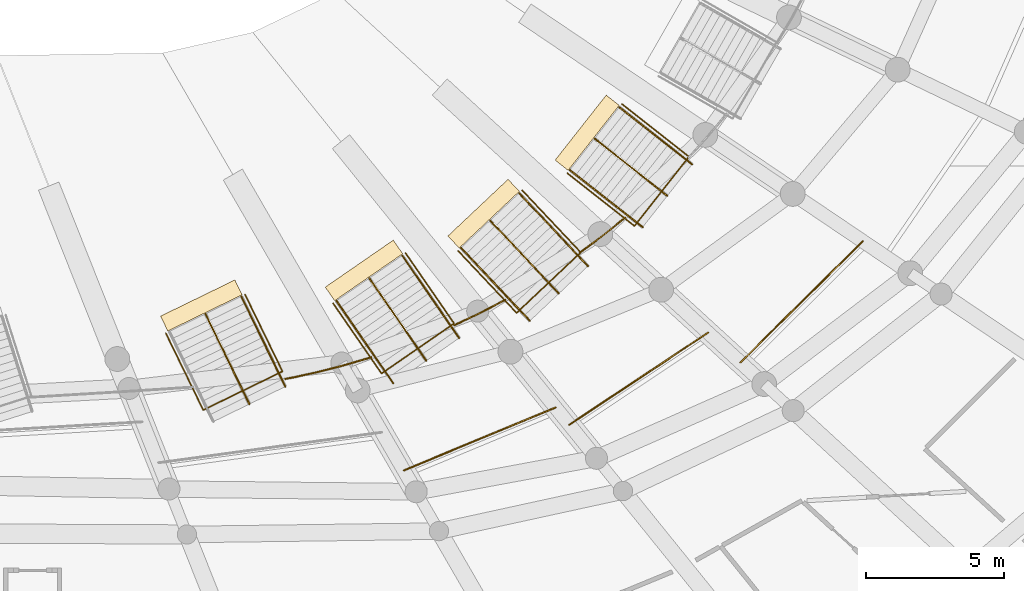
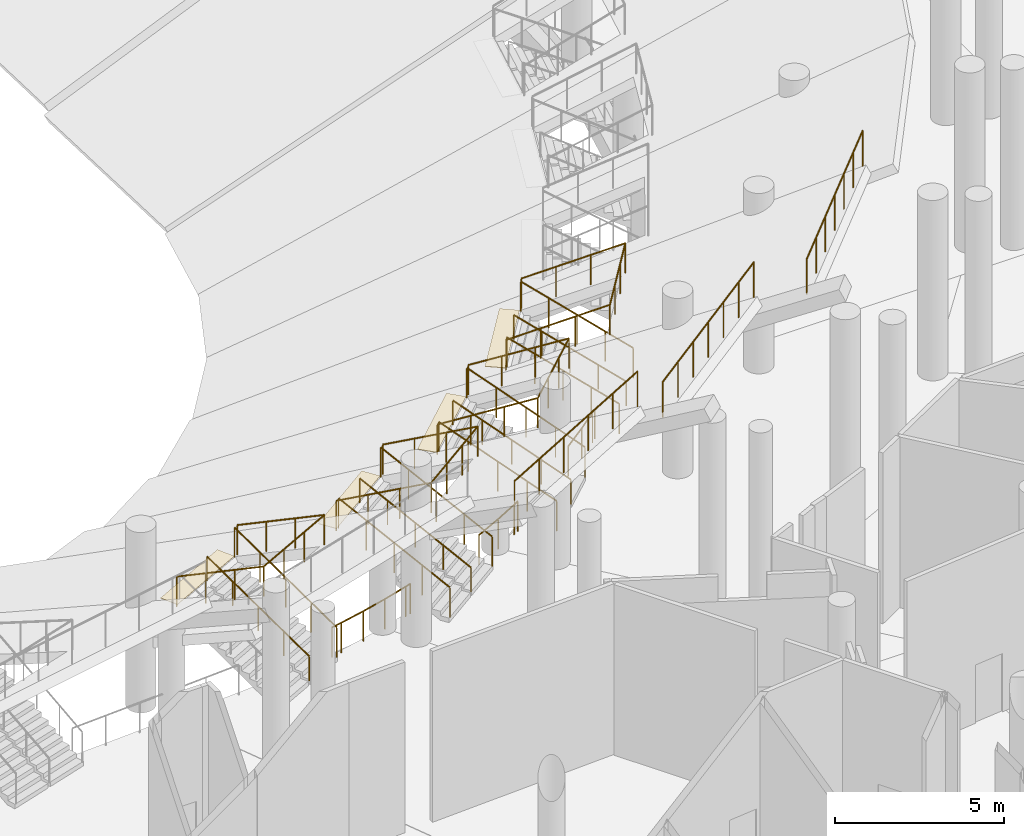
# One storey, part 208 of 255: 21 railings, 4 coverings.
"""IFC4 building model written with IfcOpenShell, lengths in metres."""

from ifc_helpers import new_model, si_unit, direction, frame, origin, origin_2d, place, context, subcontext, project, spatial, rectangle, circle, extrude, material, layer, layer_set, type_object, element, save


model = new_model("IFC4")

# Units and contexts
model_context = context("Model", 3, precision=1e-05, world=origin(), true_north=direction((0.0, 1.0)))
body_context = subcontext(model_context, "Body", "Model", "MODEL_VIEW")
ifc_project = project(units=[si_unit("LENGTHUNIT", "METRE"), si_unit("AREAUNIT", "SQUARE_METRE"), si_unit("VOLUMEUNIT", "CUBIC_METRE"), si_unit("PLANEANGLEUNIT", "RADIAN"), si_unit("MASSUNIT", "GRAM", prefix="KILO")], contexts=[model_context])

# Site, building, storey
site_placement = place(None, origin())
site = spatial("IfcSite", under=ifc_project, at=site_placement, CompositionType="ELEMENT")
building_placement = place(site_placement, origin())
building = spatial("IfcBuilding", under=site, at=building_placement, Name="Meseta Stadium", CompositionType="ELEMENT")
storey_placement = place(building_placement, origin())
storey = spatial("IfcBuildingStorey", under=building, at=storey_placement, Name="L00", CompositionType="ELEMENT", Elevation=0.0)

# Railings
ifc_material_1 = material(Name="Steel S355", Category="steel")
railing_type_1 = type_object("IfcRailingType", Name="Plate edge guard 1100", PredefinedType="GUARDRAIL", material=ifc_material_1)
railing_1_placement = place(storey_placement, frame((32.13232421875, -71.73681640625, 0.0)))
element("IfcRailing", 1, at=railing_1_placement, inside=storey, type_object=railing_type_1, Name="L00 inner edge guard 51", PredefinedType="GUARDRAIL", context=body_context, shape_type="SweptSolid", body=[
    extrude(circle(Radius=0.02490234375, at=origin_2d()), frame((0.0, 0.0, 1.0751953125), z_axis=(0.982708770154, 0.185157967859, 0.0), x_axis=(-0.185157967859, 0.982708770154, 0.0)), (0.0, 0.0, 1.0), 0.35595703125),
    extrude(circle(Radius=0.02490234375, at=origin_2d()), frame((0.349853515625, 0.06591796875, 1.0751953125), z_axis=(0.976225779897, 0.216756145621, 0.0), x_axis=(-0.216756145621, 0.976225779897, 0.0)), (0.0, 0.0, 1.0), 0.889892578125),
    extrude(circle(Radius=0.02490234375, at=origin_2d()), frame((1.218505859375, 0.2587890625, 1.0751953125), z_axis=(0.968604525516, 0.248606663526, 0.0), x_axis=(-0.248606663526, 0.968604525516, 0.0)), (0.0, 0.0, 1.0), 0.888671875),
    extrude(circle(Radius=0.02490234375, at=origin_2d()), frame((2.079345703125, 0.479736328125, 1.0751953125), z_axis=(0.960046214421, 0.279841501882, 0.0), x_axis=(-0.279841501882, 0.960046214421, 0.0)), (0.0, 0.0, 1.0), 0.88720703125),
    extrude(circle(Radius=0.02490234375, at=origin_2d()), frame((2.93115234375, 0.72802734375, 1.0751953125), z_axis=(0.950488430053, 0.31075994648, 0.0), x_axis=(-0.31075994648, 0.950488430053, 0.0)), (0.0, 0.0, 1.0), 0.201171875),
    extrude(circle(Radius=0.02001953125, at=origin_2d()), origin(), (0.0, 0.0, 1.0), 1.050048828125),
    extrude(circle(Radius=0.02001953125, at=origin_2d()), frame((0.349853515625, 0.06591796875, 0.0)), (0.0, 0.0, 1.0), 1.050048828125),
    extrude(circle(Radius=0.02001953125, at=origin_2d()), frame((1.218505859375, 0.2587890625, 0.0)), (0.0, 0.0, 1.0), 1.050048828125),
    extrude(circle(Radius=0.02001953125, at=origin_2d()), frame((2.079345703125, 0.479736328125, 0.0)), (0.0, 0.0, 1.0), 1.050048828125),
    extrude(circle(Radius=0.02001953125, at=origin_2d()), frame((2.93115234375, 0.72802734375, 0.0)), (0.0, 0.0, 1.0), 1.050048828125),
    extrude(circle(Radius=0.02001953125, at=origin_2d()), frame((3.122314453125, 0.79052734375, 0.0)), (0.0, 0.0, 1.0), 1.050048828125),
])
railing_2_placement = place(storey_placement, frame((38.2705078125, -69.7880859375, 0.0)))
element("IfcRailing", 2, at=railing_2_placement, inside=storey, type_object=railing_type_1, Name="L00 inner edge guard 52", PredefinedType="GUARDRAIL", context=body_context, shape_type="SweptSolid", body=[
    extrude(circle(Radius=0.02490234375, at=origin_2d()), frame((0.0, 0.0, 1.0751953125), z_axis=(0.90338039609, 0.428840133337, 0.0), x_axis=(-0.428840133337, 0.90338039609, 0.0)), (0.0, 0.0, 1.0), 0.98828125),
    extrude(circle(Radius=0.02490234375, at=origin_2d()), frame((0.892822265625, 0.423828125, 1.0751953125), z_axis=(0.887171475651, 0.461439890768, 0.0), x_axis=(-0.461439890768, 0.887171475651, 0.0)), (0.0, 0.0, 1.0), 0.882080078125),
    extrude(circle(Radius=0.02490234375, at=origin_2d()), frame((1.67529296875, 0.830810546875, 1.0751953125), z_axis=(0.872066441359, 0.489387496628, 0.0), x_axis=(-0.489387496628, 0.872066441359, 0.0)), (0.0, 0.0, 1.0), 0.198974609375),
    extrude(circle(Radius=0.02001953125, at=origin_2d()), origin(), (0.0, 0.0, 1.0), 1.050048828125),
    extrude(circle(Radius=0.02001953125, at=origin_2d()), frame((0.892822265625, 0.423828125, 0.0)), (0.0, 0.0, 1.0), 1.050048828125),
    extrude(circle(Radius=0.02001953125, at=origin_2d()), frame((1.67529296875, 0.830810546875, 0.0)), (0.0, 0.0, 1.0), 1.050048828125),
    extrude(circle(Radius=0.02001953125, at=origin_2d()), frame((1.848876953125, 0.92822265625, 0.0)), (0.0, 0.0, 1.0), 1.050048828125),
])
railing_3_placement = place(storey_placement, frame((42.8271484375, -67.154296875, 0.0)))
element("IfcRailing", 3, at=railing_3_placement, inside=storey, type_object=railing_type_1, Name="L00 inner edge guard 53", PredefinedType="GUARDRAIL", context=body_context, shape_type="SweptSolid", body=[
    extrude(circle(Radius=0.02490234375, at=origin_2d()), frame((0.0, 0.0, 1.0751953125), z_axis=(0.802947355475, 0.596049951208, 0.0), x_axis=(-0.596049951208, 0.802947355475, 0.0)), (0.0, 0.0, 1.0), 1.000732421875),
    extrude(circle(Radius=0.02490234375, at=origin_2d()), frame((0.803466796875, 0.596435546875, 1.0751953125), z_axis=(0.780706207846, 0.624898245341, 0.0), x_axis=(-0.624898245341, 0.780706207846, 0.0)), (0.0, 0.0, 1.0), 0.879150390625),
    extrude(circle(Radius=0.02490234375, at=origin_2d()), frame((1.48974609375, 1.145751953125, 1.0751953125), z_axis=(0.759865787374, 0.650079983678, 0.0), x_axis=(-0.650079983678, 0.759865787374, 0.0)), (0.0, 0.0, 1.0), 0.197998046875),
    extrude(circle(Radius=0.02001953125, at=origin_2d()), origin(), (0.0, 0.0, 1.0), 1.050048828125),
    extrude(circle(Radius=0.02001953125, at=origin_2d()), frame((0.803466796875, 0.596435546875, 0.0)), (0.0, 0.0, 1.0), 1.050048828125),
    extrude(circle(Radius=0.02001953125, at=origin_2d()), frame((1.48974609375, 1.145751953125, 0.0)), (0.0, 0.0, 1.0), 1.050048828125),
    extrude(circle(Radius=0.02001953125, at=origin_2d()), frame((1.64013671875, 1.2744140625, 0.0)), (0.0, 0.0, 1.0), 1.050048828125),
])
ifc_material_2 = material(Name="Steel S355", Category="steel")
railing_type_2 = type_object("IfcRailingType", Name="Stand rear guard 1300", PredefinedType="GUARDRAIL", material=ifc_material_2)
railing_4_placement = place(storey_placement, frame((36.437255859375, -75.056640625, 5.5791015625)))
element("IfcRailing", 4, at=railing_4_placement, inside=storey, type_object=railing_type_2, Name="Stand lower tier rear guard bay 51", PredefinedType="GUARDRAIL", context=body_context, shape_type="SweptSolid", body=[
    extrude(circle(Radius=0.02490234375, at=origin_2d()), frame((0.0, 0.0, 1.27490234375), z_axis=(0.918705190478, 0.380326600198, 0.106453981467), x_axis=(-0.382500107236, 0.923955446958, 0.0)), (0.0, 0.0, 1.0), 5.994873046875),
    extrude(circle(Radius=0.02001953125, at=origin_2d()), origin(), (0.0, 0.0, 1.0), 1.25),
    extrude(circle(Radius=0.02001953125, at=origin_2d()), frame((1.1015625, 0.4560546875, 0.127685546875)), (0.0, 0.0, 1.0), 1.25),
    extrude(circle(Radius=0.02001953125, at=origin_2d()), frame((2.203125, 0.912109375, 0.25537109375)), (0.0, 0.0, 1.0), 1.25),
    extrude(circle(Radius=0.02001953125, at=origin_2d()), frame((3.304443359375, 1.367919921875, 0.3828125)), (0.0, 0.0, 1.0), 1.25),
    extrude(circle(Radius=0.02001953125, at=origin_2d()), frame((4.406005859375, 1.823974609375, 0.510498046875)), (0.0, 0.0, 1.0), 1.25),
    extrude(circle(Radius=0.02001953125, at=origin_2d()), frame((5.507568359375, 2.280029296875, 0.63818359375)), (0.0, 0.0, 1.0), 1.25),
])
railing_5_placement = place(storey_placement, frame((42.447265625, -73.399169921875, 6.04638671875)))
element("IfcRailing", 5, at=railing_5_placement, inside=storey, type_object=railing_type_2, Name="Stand lower tier rear guard bay 52", PredefinedType="GUARDRAIL", context=body_context, shape_type="SweptSolid", body=[
    extrude(circle(Radius=0.02490234375, at=origin_2d()), frame((0.0, 0.0, 1.27490234375), z_axis=(0.829949257802, 0.551191978822, 0.085858208435), x_axis=(-0.553234872584, 0.833025315196, 0.0)), (0.0, 0.0, 1.0), 6.0625),
    extrude(circle(Radius=0.02001953125, at=origin_2d()), origin(), (0.0, 0.0, 1.0), 1.25),
    extrude(circle(Radius=0.02001953125, at=origin_2d()), frame((0.838623046875, 0.556884765625, 0.086669921875)), (0.0, 0.0, 1.0), 1.25),
    extrude(circle(Radius=0.02001953125, at=origin_2d()), frame((1.67724609375, 1.11376953125, 0.173583984375)), (0.0, 0.0, 1.0), 1.25),
    extrude(circle(Radius=0.02001953125, at=origin_2d()), frame((2.515625, 1.6708984375, 0.26025390625)), (0.0, 0.0, 1.0), 1.25),
    extrude(circle(Radius=0.02001953125, at=origin_2d()), frame((3.354248046875, 2.227783203125, 0.346923828125)), (0.0, 0.0, 1.0), 1.25),
    extrude(circle(Radius=0.02001953125, at=origin_2d()), frame((4.19287109375, 2.78466796875, 0.433837890625)), (0.0, 0.0, 1.0), 1.25),
    extrude(circle(Radius=0.02001953125, at=origin_2d()), frame((5.031494140625, 3.341552734375, 0.5205078125)), (0.0, 0.0, 1.0), 1.25),
])
railing_6_placement = place(storey_placement, frame((48.658935546875, -71.137939453125, 6.924072265625)))
element("IfcRailing", 6, at=railing_6_placement, inside=storey, type_object=railing_type_2, Name="Stand lower tier rear guard bay 53", PredefinedType="GUARDRAIL", context=body_context, shape_type="SweptSolid", body=[
    extrude(circle(Radius=0.02490234375, at=origin_2d()), frame((0.0, 0.0, 1.27490234375), z_axis=(0.709200353402, 0.702182813761, 0.063040897776), x_axis=(-0.703582278008, 0.710613803745, 0.0)), (0.0, 0.0, 1.0), 6.26220703125),
    extrude(circle(Radius=0.02001953125, at=origin_2d()), origin(), (0.0, 0.0, 1.0), 1.25),
    extrude(circle(Radius=0.02001953125, at=origin_2d()), frame((0.740234375, 0.73291015625, 0.06591796875)), (0.0, 0.0, 1.0), 1.25),
    extrude(circle(Radius=0.02001953125, at=origin_2d()), frame((1.48046875, 1.4658203125, 0.131591796875)), (0.0, 0.0, 1.0), 1.25),
    extrude(circle(Radius=0.02001953125, at=origin_2d()), frame((2.220703125, 2.19873046875, 0.197265625)), (0.0, 0.0, 1.0), 1.25),
    extrude(circle(Radius=0.02001953125, at=origin_2d()), frame((2.960693359375, 2.931396484375, 0.26318359375)), (0.0, 0.0, 1.0), 1.25),
    extrude(circle(Radius=0.02001953125, at=origin_2d()), frame((3.700927734375, 3.664306640625, 0.3291015625)), (0.0, 0.0, 1.0), 1.25),
    extrude(circle(Radius=0.02001953125, at=origin_2d()), frame((4.441162109375, 4.397216796875, 0.394775390625)), (0.0, 0.0, 1.0), 1.25),
])

# Coverings
ifc_material_3 = material(Name="Stone paving", Category="masonry")
ifc_layer = layer(ifc_material_3, 0.02001953125)
ifc_layer_set = layer_set([ifc_layer], Name="Vomitory exit threshold plate 20")
covering_type = type_object("IfcCoveringType", Name="Vomitory exit threshold plate 20", PredefinedType="FLOORING", material=ifc_layer_set)
for number, where, z_axis, x_axis, name in (
    (7, (29.08740234375, -69.0712890625, 2.32080078125), (0.0, 0.0, 1.0), (-0.437966379942, 0.898991351483, 0.0), "Vomitory V-lower-50 exit threshold"),
    (8, (34.9912109375, -67.7998046875, 2.26806640625), (0.0, 0.0, 1.0), (-0.567899772853, 0.82309771473, 0.0), "Vomitory V-lower-51 exit threshold"),
    (9, (39.334716796875, -65.739013671875, 2.26904296875), (0.0, 0.0, 1.0), (-0.686064733008, 0.72754050205, 0.0), "Vomitory V-lower-52 exit threshold"),
    (10, (43.09228515625, -62.8017578125, 2.21875), (0.0, 0.0, 1.0), (-0.786141751877, 0.618046232862, 0.0), "Vomitory V-lower-53 exit threshold"),
):
    element("IfcCovering", number, at=place(storey_placement, frame(where, z_axis=z_axis, x_axis=x_axis)), inside=storey, type_object=covering_type, Name=name, PredefinedType="FLOORING", context=body_context, shape_type="SweptSolid", body=[
        extrude(rectangle(XDim=0.60009765625, YDim=3.0, at=origin_2d()), origin(), (0.0, 0.0, 1.0), 0.02001953125),
    ])

# Railings
ifc_material_4 = material(Name="Steel S355", Category="steel")
railing_type_3 = type_object("IfcRailingType", Name="Vomitory slot guard 1100", PredefinedType="GUARDRAIL", material=ifc_material_4)
railing_7_placement = place(storey_placement, frame((30.67529296875, -68.67724609375, 2.3408203125)))
element("IfcRailing", 11, at=railing_7_placement, inside=storey, type_object=railing_type_3, Name="Vomitory V-lower-50 slot guard", PredefinedType="GUARDRAIL", context=body_context, shape_type="SweptSolid", body=[
    extrude(circle(Radius=0.02490234375, at=origin_2d()), frame((0.0, 0.0, 1.0751953125), z_axis=(0.390159093571, -0.800875032028, 0.454285224037), x_axis=(0.898994639312, 0.437959631118, 0.0)), (0.0, 0.0, 1.0), 3.479736328125),
    extrude(circle(Radius=0.02490234375, at=origin_2d()), frame((1.357666015625, -2.786865234375, 2.65576171875), z_axis=(-0.899017594614, -0.437912507899, 0.0), x_axis=(0.437912507899, -0.899017594614, 0.0)), (0.0, 0.0, 1.0), 3.2001953125),
    extrude(circle(Radius=0.02490234375, at=origin_2d()), frame((-1.519287109375, -4.188232421875, 2.65576171875), z_axis=(-0.390159093571, 0.800875032028, -0.454285224037), x_axis=(-0.898994639312, -0.437959631118, 0.0)), (0.0, 0.0, 1.0), 3.479736328125),
    extrude(circle(Radius=0.02001953125, at=origin_2d()), origin(), (0.0, 0.0, 1.0), 1.050048828125),
    extrude(circle(Radius=0.02001953125, at=origin_2d()), frame((0.45263671875, -0.928955078125, 0.52685546875)), (0.0, 0.0, 1.0), 1.050048828125),
    extrude(circle(Radius=0.02001953125, at=origin_2d()), frame((0.905029296875, -1.85791015625, 1.053955078125)), (0.0, 0.0, 1.0), 1.050048828125),
    extrude(circle(Radius=0.02001953125, at=origin_2d()), frame((1.357666015625, -2.786865234375, 1.580810546875)), (0.0, 0.0, 1.0), 1.050048828125),
    extrude(circle(Radius=0.02001953125, at=origin_2d()), frame((0.398681640625, -3.25390625, 1.580810546875)), (0.0, 0.0, 1.0), 1.050048828125),
    extrude(circle(Radius=0.02001953125, at=origin_2d()), frame((-0.560302734375, -3.72119140625, 1.580810546875)), (0.0, 0.0, 1.0), 1.050048828125),
    extrude(circle(Radius=0.02001953125, at=origin_2d()), frame((-1.519287109375, -4.188232421875, 1.580810546875)), (0.0, 0.0, 1.0), 1.050048828125),
    extrude(circle(Radius=0.02001953125, at=origin_2d()), frame((-1.971923828125, -3.25927734375, 1.053955078125)), (0.0, 0.0, 1.0), 1.050048828125),
    extrude(circle(Radius=0.02001953125, at=origin_2d()), frame((-2.42431640625, -2.330322265625, 0.52685546875)), (0.0, 0.0, 1.0), 1.050048828125),
    extrude(circle(Radius=0.02001953125, at=origin_2d()), frame((-2.876953125, -1.4013671875, 0.0)), (0.0, 0.0, 1.0), 1.050048828125),
])
railing_8_placement = place(storey_placement, frame((36.501708984375, -67.171875, 2.2880859375)))
element("IfcRailing", 12, at=railing_8_placement, inside=storey, type_object=railing_type_3, Name="Vomitory V-lower-51 slot guard", PredefinedType="GUARDRAIL", context=body_context, shape_type="SweptSolid", body=[
    extrude(circle(Radius=0.02490234375, at=origin_2d()), frame((0.0, 0.0, 1.0751953125), z_axis=(0.505913025585, -0.733226602466, 0.454346519718), x_axis=(0.823087110293, 0.567915142314, 0.0)), (0.0, 0.0, 1.0), 3.479736328125),
    extrude(circle(Radius=0.02490234375, at=origin_2d()), frame((1.760498046875, -2.551513671875, 2.65625), z_axis=(-0.823070129535, -0.56793975197, 0.0), x_axis=(0.56793975197, -0.823070129535, 0.0)), (0.0, 0.0, 1.0), 3.199951171875),
    extrude(circle(Radius=0.02490234375, at=origin_2d()), frame((-0.873291015625, -4.368896484375, 2.65625), z_axis=(-0.505913025585, 0.733226602466, -0.454346519718), x_axis=(-0.823087110293, -0.567915142314, 0.0)), (0.0, 0.0, 1.0), 3.479736328125),
    extrude(circle(Radius=0.02001953125, at=origin_2d()), origin(), (0.0, 0.0, 1.0), 1.050048828125),
    extrude(circle(Radius=0.02001953125, at=origin_2d()), frame((0.5869140625, -0.8505859375, 0.527099609375)), (0.0, 0.0, 1.0), 1.050048828125),
    extrude(circle(Radius=0.02001953125, at=origin_2d()), frame((1.173583984375, -1.700927734375, 1.053955078125)), (0.0, 0.0, 1.0), 1.050048828125),
    extrude(circle(Radius=0.02001953125, at=origin_2d()), frame((1.760498046875, -2.551513671875, 1.5810546875)), (0.0, 0.0, 1.0), 1.050048828125),
    extrude(circle(Radius=0.02001953125, at=origin_2d()), frame((0.882568359375, -3.1572265625, 1.5810546875)), (0.0, 0.0, 1.0), 1.050048828125),
    extrude(circle(Radius=0.02001953125, at=origin_2d()), frame((0.004638671875, -3.76318359375, 1.5810546875)), (0.0, 0.0, 1.0), 1.050048828125),
    extrude(circle(Radius=0.02001953125, at=origin_2d()), frame((-0.873291015625, -4.368896484375, 1.5810546875)), (0.0, 0.0, 1.0), 1.050048828125),
    extrude(circle(Radius=0.02001953125, at=origin_2d()), frame((-1.460205078125, -3.518310546875, 1.053955078125)), (0.0, 0.0, 1.0), 1.050048828125),
    extrude(circle(Radius=0.02001953125, at=origin_2d()), frame((-2.046875, -2.66796875, 0.527099609375)), (0.0, 0.0, 1.0), 1.050048828125),
    extrude(circle(Radius=0.02001953125, at=origin_2d()), frame((-2.6337890625, -1.8173828125, 0.0)), (0.0, 0.0, 1.0), 1.050048828125),
])
railing_9_placement = place(storey_placement, frame((40.732666015625, -64.8896484375, 2.2890625)))
element("IfcRailing", 13, at=railing_9_placement, inside=storey, type_object=railing_type_3, Name="Vomitory V-lower-52 slot guard", PredefinedType="GUARDRAIL", context=body_context, shape_type="SweptSolid", body=[
    extrude(circle(Radius=0.02490234375, at=origin_2d()), frame((0.0, 0.0, 1.0751953125), z_axis=(0.611194378276, -0.648096150885, 0.454326766955), x_axis=(0.727515277966, 0.686091481018, 0.0)), (0.0, 0.0, 1.0), 3.47998046875),
    extrude(circle(Radius=0.02490234375, at=origin_2d()), frame((2.126953125, -2.25537109375, 2.65625), z_axis=(-0.727554587562, -0.686049795654, 0.0), x_axis=(0.686049795654, -0.727554587562, 0.0)), (0.0, 0.0, 1.0), 3.199951171875),
    extrude(circle(Radius=0.02490234375, at=origin_2d()), frame((-0.201171875, -4.45068359375, 2.65625), z_axis=(-0.611194378276, 0.648096150885, -0.454326766955), x_axis=(-0.727515277966, -0.686091481018, 0.0)), (0.0, 0.0, 1.0), 3.47998046875),
    extrude(circle(Radius=0.02001953125, at=origin_2d()), origin(), (0.0, 0.0, 1.0), 1.050048828125),
    extrude(circle(Radius=0.02001953125, at=origin_2d()), frame((0.708984375, -0.751708984375, 0.527099609375)), (0.0, 0.0, 1.0), 1.050048828125),
    extrude(circle(Radius=0.02001953125, at=origin_2d()), frame((1.41796875, -1.503662109375, 1.053955078125)), (0.0, 0.0, 1.0), 1.050048828125),
    extrude(circle(Radius=0.02001953125, at=origin_2d()), frame((2.126953125, -2.25537109375, 1.5810546875)), (0.0, 0.0, 1.0), 1.050048828125),
    extrude(circle(Radius=0.02001953125, at=origin_2d()), frame((1.350830078125, -2.987060546875, 1.5810546875)), (0.0, 0.0, 1.0), 1.050048828125),
    extrude(circle(Radius=0.02001953125, at=origin_2d()), frame((0.574951171875, -3.718994140625, 1.5810546875)), (0.0, 0.0, 1.0), 1.050048828125),
    extrude(circle(Radius=0.02001953125, at=origin_2d()), frame((-0.201171875, -4.45068359375, 1.5810546875)), (0.0, 0.0, 1.0), 1.050048828125),
    extrude(circle(Radius=0.02001953125, at=origin_2d()), frame((-0.91015625, -3.698974609375, 1.053955078125)), (0.0, 0.0, 1.0), 1.050048828125),
    extrude(circle(Radius=0.02001953125, at=origin_2d()), frame((-1.619140625, -2.947021484375, 0.527099609375)), (0.0, 0.0, 1.0), 1.050048828125),
    extrude(circle(Radius=0.02001953125, at=origin_2d()), frame((-2.328125, -2.1953125, 0.0)), (0.0, 0.0, 1.0), 1.050048828125),
])
railing_10_placement = place(storey_placement, frame((44.349609375, -61.7548828125, 2.23876953125)))
element("IfcRailing", 14, at=railing_10_placement, inside=storey, type_object=railing_type_3, Name="Vomitory V-lower-53 slot guard", PredefinedType="GUARDRAIL", context=body_context, shape_type="SweptSolid", body=[
    extrude(circle(Radius=0.02490234375, at=origin_2d()), frame((0.0, 0.0, 1.0751953125), z_axis=(0.700355252069, -0.550559773891, 0.454297761686), x_axis=(0.618016316891, 0.786165270193, 0.0)), (0.0, 0.0, 1.0), 3.479736328125),
    extrude(circle(Radius=0.02490234375, at=origin_2d()), frame((2.43701171875, -1.915771484375, 2.65576171875), z_axis=(-0.618057385598, -0.78613298373, 0.0), x_axis=(0.78613298373, -0.618057385598, 0.0)), (0.0, 0.0, 1.0), 3.199951171875),
    extrude(circle(Radius=0.02490234375, at=origin_2d()), frame((0.459228515625, -4.431396484375, 2.65576171875), z_axis=(-0.700355252069, 0.550559773891, -0.454297761686), x_axis=(-0.618016316891, -0.786165270193, 0.0)), (0.0, 0.0, 1.0), 3.479736328125),
    extrude(circle(Radius=0.02001953125, at=origin_2d()), origin(), (0.0, 0.0, 1.0), 1.050048828125),
    extrude(circle(Radius=0.02001953125, at=origin_2d()), frame((0.812255859375, -0.638671875, 0.52685546875)), (0.0, 0.0, 1.0), 1.050048828125),
    extrude(circle(Radius=0.02001953125, at=origin_2d()), frame((1.624755859375, -1.277099609375, 1.053955078125)), (0.0, 0.0, 1.0), 1.050048828125),
    extrude(circle(Radius=0.02001953125, at=origin_2d()), frame((2.43701171875, -1.915771484375, 1.580810546875)), (0.0, 0.0, 1.0), 1.050048828125),
    extrude(circle(Radius=0.02001953125, at=origin_2d()), frame((1.77783203125, -2.75439453125, 1.580810546875)), (0.0, 0.0, 1.0), 1.050048828125),
    extrude(circle(Radius=0.02001953125, at=origin_2d()), frame((1.118408203125, -3.5927734375, 1.580810546875)), (0.0, 0.0, 1.0), 1.050048828125),
    extrude(circle(Radius=0.02001953125, at=origin_2d()), frame((0.459228515625, -4.431396484375, 1.580810546875)), (0.0, 0.0, 1.0), 1.050048828125),
    extrude(circle(Radius=0.02001953125, at=origin_2d()), frame((-0.35302734375, -3.792724609375, 1.053955078125)), (0.0, 0.0, 1.0), 1.050048828125),
    extrude(circle(Radius=0.02001953125, at=origin_2d()), frame((-1.16552734375, -3.154296875, 0.52685546875)), (0.0, 0.0, 1.0), 1.050048828125),
    extrude(circle(Radius=0.02001953125, at=origin_2d()), frame((-1.977783203125, -2.515625, 0.0)), (0.0, 0.0, 1.0), 1.050048828125),
])
ifc_material_5 = material(Name="Steel S355", Category="steel")
railing_type_4 = type_object("IfcRailingType", Name="Vomitory stair guard 1100", PredefinedType="GUARDRAIL", material=ifc_material_5)
railing_11_placement = place(storey_placement, frame((32.134521484375, -72.01513671875, 0.167236328125)))
element("IfcRailing", 15, at=railing_11_placement, inside=storey, type_object=railing_type_4, Name="Vomitory V-lower-50 guard right", PredefinedType="GUARDRAIL", context=body_context, shape_type="SweptSolid", body=[
    extrude(circle(Radius=0.02490234375, at=origin_2d()), frame((0.0, 0.0, 1.0751953125), z_axis=(-0.376042835266, 0.771837997102, 0.512696686428), x_axis=(-0.898981065754, -0.437987492306, 0.0)), (0.0, 0.0, 1.0), 4.239501953125),
    extrude(circle(Radius=0.02001953125, at=origin_2d()), origin(), (0.0, 0.0, 1.0), 1.050048828125),
    extrude(circle(Radius=0.02001953125, at=origin_2d()), frame((-0.3984375, 0.818115234375, 0.54345703125)), (0.0, 0.0, 1.0), 1.050048828125),
    extrude(circle(Radius=0.02001953125, at=origin_2d()), frame((-0.797119140625, 1.63623046875, 1.0869140625)), (0.0, 0.0, 1.0), 1.050048828125),
    extrude(circle(Radius=0.02001953125, at=origin_2d()), frame((-1.19580078125, 2.4541015625, 1.630126953125)), (0.0, 0.0, 1.0), 1.050048828125),
    extrude(circle(Radius=0.02001953125, at=origin_2d()), frame((-1.59423828125, 3.272216796875, 2.173583984375)), (0.0, 0.0, 1.0), 1.050048828125),
])
for number, where, name in (
    (16, (36.05859375, -71.900146484375, 0.163330078125), "Vomitory V-lower-51 guard left"),
    (17, (38.445556640625, -70.253173828125, 0.163330078125), "Vomitory V-lower-51 guard right"),
):
    element("IfcRailing", number, at=place(storey_placement, frame(where)), inside=storey, type_object=railing_type_4, Name=name, PredefinedType="GUARDRAIL", context=body_context, shape_type="SweptSolid", body=[
        extrude(circle(Radius=0.02490234375, at=origin_2d()), frame((0.0, 0.0, 1.0751953125), z_axis=(-0.490451930686, 0.710856985164, 0.504122257324), x_axis=(-0.823101434641, -0.567894381283, 0.0)), (0.0, 0.0, 1.0), 4.21484375),
        extrude(circle(Radius=0.02001953125, at=origin_2d()), origin(), (0.0, 0.0, 1.0), 1.050048828125),
        extrude(circle(Radius=0.02001953125, at=origin_2d()), frame((-0.516845703125, 0.7490234375, 0.53125)), (0.0, 0.0, 1.0), 1.050048828125),
        extrude(circle(Radius=0.02001953125, at=origin_2d()), frame((-1.03369140625, 1.498046875, 1.0625)), (0.0, 0.0, 1.0), 1.050048828125),
        extrude(circle(Radius=0.02001953125, at=origin_2d()), frame((-1.55029296875, 2.2470703125, 1.593505859375)), (0.0, 0.0, 1.0), 1.050048828125),
        extrude(circle(Radius=0.02001953125, at=origin_2d()), frame((-2.067138671875, 2.99609375, 2.124755859375)), (0.0, 0.0, 1.0), 1.050048828125),
    ])
railing_12_placement = place(storey_placement, frame((41.010986328125, -69.63037109375, 0.16357421875)))
element("IfcRailing", 18, at=railing_12_placement, inside=storey, type_object=railing_type_4, Name="Vomitory V-lower-52 guard left", PredefinedType="GUARDRAIL", context=body_context, shape_type="SweptSolid", body=[
    extrude(circle(Radius=0.02490234375, at=origin_2d()), frame((0.0, 0.0, 1.0751953125), z_axis=(-0.592466279846, 0.628260996919, 0.504253732754), x_axis=(-0.727528186472, -0.686077792885, 0.0)), (0.0, 0.0, 1.0), 4.215087890625),
    extrude(circle(Radius=0.02001953125, at=origin_2d()), origin(), (0.0, 0.0, 1.0), 1.050048828125),
    extrude(circle(Radius=0.02001953125, at=origin_2d()), frame((-0.624267578125, 0.662109375, 0.53125)), (0.0, 0.0, 1.0), 1.050048828125),
    extrude(circle(Radius=0.02001953125, at=origin_2d()), frame((-1.24853515625, 1.32421875, 1.062744140625)), (0.0, 0.0, 1.0), 1.050048828125),
    extrude(circle(Radius=0.02001953125, at=origin_2d()), frame((-1.873046875, 1.986083984375, 1.59423828125)), (0.0, 0.0, 1.0), 1.050048828125),
    extrude(circle(Radius=0.02001953125, at=origin_2d()), frame((-2.497314453125, 2.648193359375, 2.12548828125)), (0.0, 0.0, 1.0), 1.050048828125),
])
railing_13_placement = place(storey_placement, frame((43.120849609375, -67.640869140625, 0.16357421875)))
element("IfcRailing", 19, at=railing_13_placement, inside=storey, type_object=railing_type_4, Name="Vomitory V-lower-52 guard right", PredefinedType="GUARDRAIL", context=body_context, shape_type="SweptSolid", body=[
    extrude(circle(Radius=0.02490234375, at=origin_2d()), frame((0.0, 0.0, 1.0751953125), z_axis=(-0.592444720752, 0.628296053447, 0.504235383602), x_axis=(-0.727559755057, -0.686044315494, 0.0)), (0.0, 0.0, 1.0), 4.21533203125),
    extrude(circle(Radius=0.02001953125, at=origin_2d()), origin(), (0.0, 0.0, 1.0), 1.050048828125),
    extrude(circle(Radius=0.02001953125, at=origin_2d()), frame((-0.624267578125, 0.662109375, 0.53125)), (0.0, 0.0, 1.0), 1.050048828125),
    extrude(circle(Radius=0.02001953125, at=origin_2d()), frame((-1.24853515625, 1.32421875, 1.062744140625)), (0.0, 0.0, 1.0), 1.050048828125),
    extrude(circle(Radius=0.02001953125, at=origin_2d()), frame((-1.873046875, 1.986328125, 1.59423828125)), (0.0, 0.0, 1.0), 1.050048828125),
    extrude(circle(Radius=0.02001953125, at=origin_2d()), frame((-2.497314453125, 2.6484375, 2.12548828125)), (0.0, 0.0, 1.0), 1.050048828125),
])
for number, where, name in (
    (20, (45.10595703125, -66.229248046875, 0.172119140625), "Vomitory V-lower-53 guard left"),
    (21, (46.898193359375, -63.949462890625, 0.172119140625), "Vomitory V-lower-53 guard right"),
):
    element("IfcRailing", number, at=place(storey_placement, frame(where)), inside=storey, type_object=railing_type_4, Name=name, PredefinedType="GUARDRAIL", context=body_context, shape_type="SweptSolid", body=[
        extrude(circle(Radius=0.02490234375, at=origin_2d()), frame((0.0, 0.0, 1.0751953125), z_axis=(-0.669603580808, 0.526448660537, 0.523911111151), x_axis=(-0.61806220124, -0.78612919765, 0.0)), (0.0, 0.0, 1.0), 3.944580078125),
        extrude(circle(Radius=0.02001953125, at=origin_2d()), origin(), (0.0, 0.0, 1.0), 1.050048828125),
        extrude(circle(Radius=0.02001953125, at=origin_2d()), frame((-0.660400390625, 0.51904296875, 0.5166015625)), (0.0, 0.0, 1.0), 1.050048828125),
        extrude(circle(Radius=0.02001953125, at=origin_2d()), frame((-1.32080078125, 1.038330078125, 1.033203125)), (0.0, 0.0, 1.0), 1.050048828125),
        extrude(circle(Radius=0.02001953125, at=origin_2d()), frame((-1.98095703125, 1.5576171875, 1.550048828125)), (0.0, 0.0, 1.0), 1.050048828125),
        extrude(circle(Radius=0.02001953125, at=origin_2d()), frame((-2.641357421875, 2.07666015625, 2.066650390625)), (0.0, 0.0, 1.0), 1.050048828125),
    ])
ifc_material_6 = material(Name="Steel S355", Category="steel")
railing_type_5 = type_object("IfcRailingType", Name="Vomitory stair handrail 900", PredefinedType="HANDRAIL", material=ifc_material_6)
railing_14_placement = place(storey_placement, frame((30.8310546875, -72.650390625, 0.167236328125)))
element("IfcRailing", 22, at=railing_14_placement, inside=storey, type_object=railing_type_5, Name="Vomitory V-lower-50 central handrail", PredefinedType="HANDRAIL", context=body_context, shape_type="SweptSolid", body=[
    extrude(circle(Radius=0.02490234375, at=origin_2d()), frame((0.0, 0.0, 0.875), z_axis=(-0.37602612148, 0.771861276005, 0.512673898857), x_axis=(-0.898993931431, -0.437961084172, 0.0)), (0.0, 0.0, 1.0), 4.23974609375),
    extrude(circle(Radius=0.02001953125, at=origin_2d()), origin(), (0.0, 0.0, 1.0), 0.849853515625),
    extrude(circle(Radius=0.02001953125, at=origin_2d()), frame((-0.3984375, 0.818115234375, 0.54345703125)), (0.0, 0.0, 1.0), 0.849853515625),
    extrude(circle(Radius=0.02001953125, at=origin_2d()), frame((-0.797119140625, 1.63623046875, 1.0869140625)), (0.0, 0.0, 1.0), 0.849853515625),
    extrude(circle(Radius=0.02001953125, at=origin_2d()), frame((-1.19580078125, 2.454345703125, 1.630126953125)), (0.0, 0.0, 1.0), 0.849853515625),
    extrude(circle(Radius=0.02001953125, at=origin_2d()), frame((-1.59423828125, 3.2724609375, 2.173583984375)), (0.0, 0.0, 1.0), 0.849853515625),
])
railing_15_placement = place(storey_placement, frame((37.251953125, -71.07666015625, 0.163330078125)))
element("IfcRailing", 23, at=railing_15_placement, inside=storey, type_object=railing_type_5, Name="Vomitory V-lower-51 central handrail", PredefinedType="HANDRAIL", context=body_context, shape_type="SweptSolid", body=[
    extrude(circle(Radius=0.02490234375, at=origin_2d()), frame((0.0, 0.0, 0.875), z_axis=(-0.490451930686, 0.710856985164, 0.504122257324), x_axis=(-0.823101434641, -0.567894381283, 0.0)), (0.0, 0.0, 1.0), 4.21484375),
    extrude(circle(Radius=0.02001953125, at=origin_2d()), origin(), (0.0, 0.0, 1.0), 0.849853515625),
    extrude(circle(Radius=0.02001953125, at=origin_2d()), frame((-0.516845703125, 0.7490234375, 0.53125)), (0.0, 0.0, 1.0), 0.849853515625),
    extrude(circle(Radius=0.02001953125, at=origin_2d()), frame((-1.03369140625, 1.498046875, 1.0625)), (0.0, 0.0, 1.0), 0.849853515625),
    extrude(circle(Radius=0.02001953125, at=origin_2d()), frame((-1.55029296875, 2.2470703125, 1.593505859375)), (0.0, 0.0, 1.0), 0.849853515625),
    extrude(circle(Radius=0.02001953125, at=origin_2d()), frame((-2.067138671875, 2.99609375, 2.124755859375)), (0.0, 0.0, 1.0), 0.849853515625),
])
railing_16_placement = place(storey_placement, frame((42.06591796875, -68.635498046875, 0.16357421875)))
element("IfcRailing", 24, at=railing_16_placement, inside=storey, type_object=railing_type_5, Name="Vomitory V-lower-52 central handrail", PredefinedType="HANDRAIL", context=body_context, shape_type="SweptSolid", body=[
    extrude(circle(Radius=0.02490234375, at=origin_2d()), frame((0.0, 0.0, 0.875), z_axis=(-0.592466279846, 0.628260996919, 0.504253732754), x_axis=(-0.727528186472, -0.686077792885, 0.0)), (0.0, 0.0, 1.0), 4.215087890625),
    extrude(circle(Radius=0.02001953125, at=origin_2d()), origin(), (0.0, 0.0, 1.0), 0.849853515625),
    extrude(circle(Radius=0.02001953125, at=origin_2d()), frame((-0.624267578125, 0.662109375, 0.53125)), (0.0, 0.0, 1.0), 0.849853515625),
    extrude(circle(Radius=0.02001953125, at=origin_2d()), frame((-1.24853515625, 1.32421875, 1.062744140625)), (0.0, 0.0, 1.0), 0.849853515625),
    extrude(circle(Radius=0.02001953125, at=origin_2d()), frame((-1.873046875, 1.986083984375, 1.59423828125)), (0.0, 0.0, 1.0), 0.849853515625),
    extrude(circle(Radius=0.02001953125, at=origin_2d()), frame((-2.497314453125, 2.648193359375, 2.12548828125)), (0.0, 0.0, 1.0), 0.849853515625),
])
railing_17_placement = place(storey_placement, frame((46.002197265625, -65.08935546875, 0.172119140625)))
element("IfcRailing", 25, at=railing_17_placement, inside=storey, type_object=railing_type_5, Name="Vomitory V-lower-53 central handrail", PredefinedType="HANDRAIL", context=body_context, shape_type="SweptSolid", body=[
    extrude(circle(Radius=0.02490234375, at=origin_2d()), frame((0.0, 0.0, 0.875), z_axis=(-0.66963771993, 0.526426843413, 0.523889399188), x_axis=(-0.618026897901, -0.786156952186, 0.0)), (0.0, 0.0, 1.0), 3.94482421875),
    extrude(circle(Radius=0.02001953125, at=origin_2d()), origin(), (0.0, 0.0, 1.0), 0.849853515625),
    extrude(circle(Radius=0.02001953125, at=origin_2d()), frame((-0.660400390625, 0.51904296875, 0.5166015625)), (0.0, 0.0, 1.0), 0.849853515625),
    extrude(circle(Radius=0.02001953125, at=origin_2d()), frame((-1.32080078125, 1.038330078125, 1.033203125)), (0.0, 0.0, 1.0), 0.849853515625),
    extrude(circle(Radius=0.02001953125, at=origin_2d()), frame((-1.981201171875, 1.5576171875, 1.550048828125)), (0.0, 0.0, 1.0), 0.849853515625),
    extrude(circle(Radius=0.02001953125, at=origin_2d()), frame((-2.6416015625, 2.07666015625, 2.066650390625)), (0.0, 0.0, 1.0), 0.849853515625),
])

save(model, "model.ifc")
